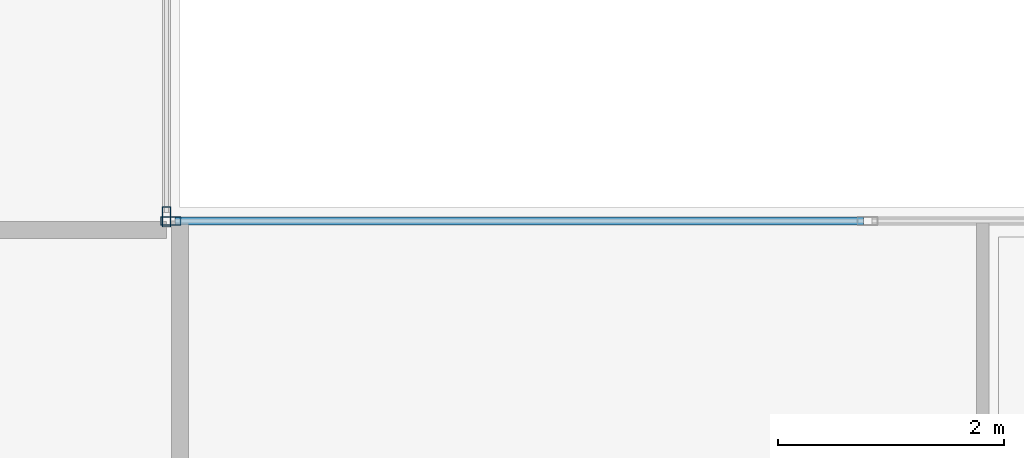
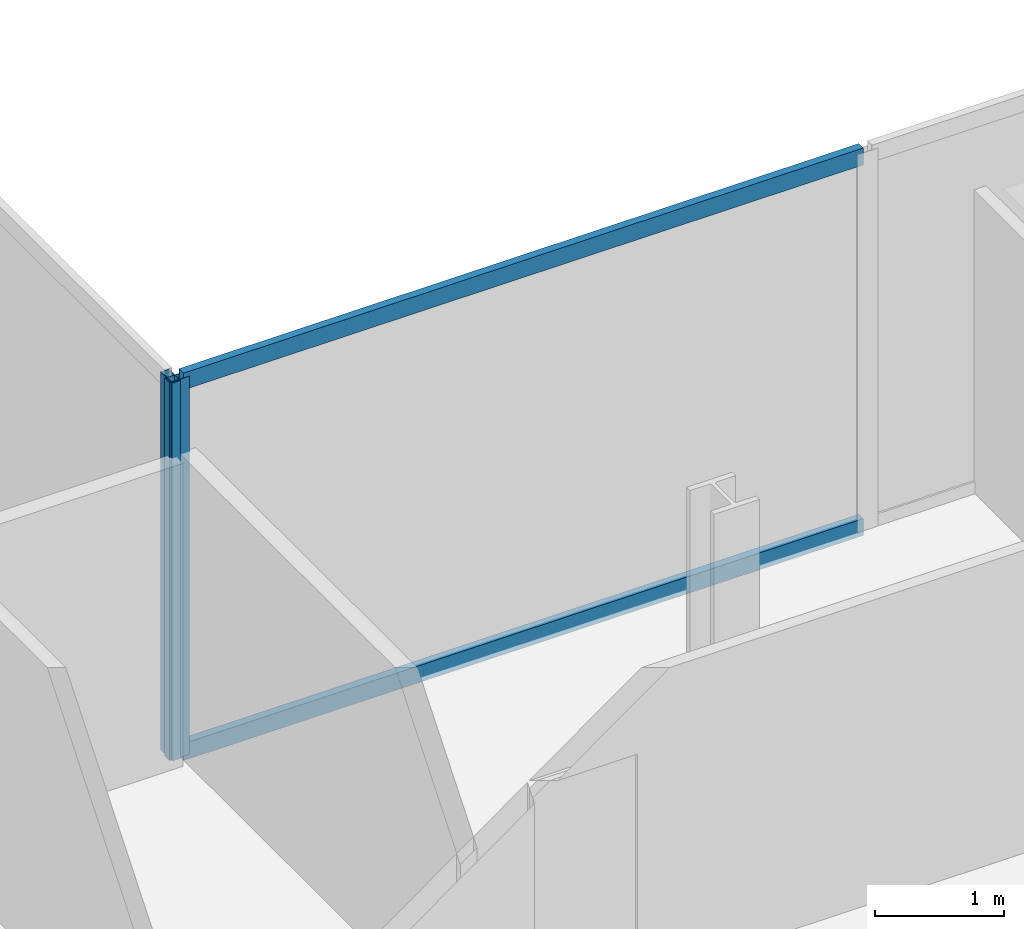
# One storey, part 7 of 23: 4 members, 2 elements without a shape of their own.
"""IFC4 building model written with IfcOpenShell, lengths in metres."""

from ifc_helpers import new_model, si_unit, direction, frame, origin, origin_2d, place, context, subcontext, project, spatial, hollow_rectangle, extrude, material, material_profile, profile_set, type_object, element, aggregate, save


model = new_model("IFC4")

# Units and contexts
model_context = context("Model", 3, precision=1e-05, world=origin(), true_north=direction((0.0, 1.0)))
body_context = subcontext(model_context, "Body", "Model", "MODEL_VIEW")
ifc_project = project(units=[si_unit("LENGTHUNIT", "METRE"), si_unit("AREAUNIT", "SQUARE_METRE"), si_unit("VOLUMEUNIT", "CUBIC_METRE"), si_unit("PLANEANGLEUNIT", "RADIAN"), si_unit("MASSUNIT", "GRAM", prefix="KILO")], contexts=[model_context])

# Site, building, storey
site_placement = place(None, origin())
site = spatial("IfcSite", under=ifc_project, at=site_placement, CompositionType="ELEMENT")
building_placement = place(site_placement, origin())
building = spatial("IfcBuilding", under=site, at=building_placement, Name="Cobrela Telecom Tower", CompositionType="ELEMENT")
storey_placement = place(building_placement, frame((0.0, 0.0, 140.699951171875)))
storey = spatial("IfcBuildingStorey", under=building, at=storey_placement, Name="L35", CompositionType="ELEMENT", Elevation=140.699951171875)

# Curtain wall, member
ifc_material = material(Name="Anodized Bronze Aluminium 6063-T6", Category="aluminium")
curtain_wall_type = type_object("IfcCurtainWallType", Name="CW-SYS-TEL", PredefinedType="USERDEFINED", material=ifc_material)
curtain_wall_1_placement = place(storey_placement, origin())
curtain_wall_1 = element("IfcCurtainWall", 1, at=curtain_wall_1_placement, inside=storey, type_object=curtain_wall_type, Name="L35 Unitised Bronze Curtain Wall 10", ObjectType="UNITISED CURTAIN WALL", PredefinedType="USERDEFINED")
ifc_material_profile_1 = material_profile(ifc_material, hollow_rectangle(XDim=0.074951171875, YDim=0.179931640625, WallThickness=0.00390625, at=origin_2d()), Name="ALU 75x180x4")
ifc_profile_set_1 = profile_set([ifc_material_profile_1], Name="Anodized Bronze Aluminium 6063-T6")
member_type_1 = type_object("IfcMemberType", Name="CW-SYS-TEL-MUL", PredefinedType="MULLION", material=ifc_profile_set_1)
member_1_placement = place(storey_placement, frame((25.8798828125, 25.117431640625, 0.0), z_axis=(0.0, 0.0, 1.0), x_axis=(1.0, 0.0, 0.0)))
member_1 = element("IfcMember", 2, at=member_1_placement, type_object=member_type_1, Name="CW-TEL mullion 3", PredefinedType="MULLION", context=body_context, shape_type="SweptSolid", body=[
    extrude(hollow_rectangle(XDim=0.074951171875, YDim=0.179931640625, WallThickness=0.00390625, at=origin_2d()), origin(), (0.0, 0.0, 1.0), 3.580078125),
])
aggregate(curtain_wall_1, [member_1])

# Curtain wall, members
curtain_wall_2_placement = place(storey_placement, origin())
curtain_wall_2 = element("IfcCurtainWall", 3, at=curtain_wall_2_placement, inside=storey, type_object=curtain_wall_type, Name="L35 Unitised Bronze Curtain Wall 11", ObjectType="UNITISED CURTAIN WALL", PredefinedType="USERDEFINED")
member_2_placement = place(storey_placement, frame((25.91748046875, 25.080078125, 0.0), z_axis=(0.0, 0.0, 1.0), x_axis=(0.0, 1.0, 0.0)))
member_2 = element("IfcMember", 4, at=member_2_placement, type_object=member_type_1, Name="CW-TEL mullion 1", PredefinedType="MULLION", context=body_context, shape_type="SweptSolid", body=[
    extrude(hollow_rectangle(XDim=0.074951171875, YDim=0.179931640625, WallThickness=0.00390625, at=origin_2d()), origin(), (0.0, 0.0, 1.0), 3.580078125),
])
ifc_material_profile_2 = material_profile(ifc_material, hollow_rectangle(XDim=0.070068359375, YDim=0.159912109375, WallThickness=0.00390625, at=origin_2d()), Name="ALU 70x160x4")
ifc_profile_set_2 = profile_set([ifc_material_profile_2], Name="Anodized Bronze Aluminium 6063-T6")
member_type_2 = type_object("IfcMemberType", Name="CW-SYS-TEL-TRN", PredefinedType="USERDEFINED", material=ifc_profile_set_2)
member_3_placement = place(storey_placement, frame((25.955078125, 25.080078125, 0.03515625), z_axis=(1.0, 0.0, 0.0), x_axis=(0.0, 1.0, 0.0)))
member_3 = element("IfcMember", 5, at=member_3_placement, type_object=member_type_2, Name="CW-TEL transom 1.1", ObjectType="TRANSOM", PredefinedType="USERDEFINED", context=body_context, shape_type="SweptSolid", body=[
    extrude(hollow_rectangle(XDim=0.070068359375, YDim=0.159912109375, WallThickness=0.00390625, at=origin_2d()), origin(), (0.0, 0.0, 1.0), 6.0908203125),
])
member_4_placement = place(storey_placement, frame((25.955078125, 25.080078125, 3.545166015625), z_axis=(1.0, 0.0, 0.0), x_axis=(0.0, 1.0, 0.0)))
member_4 = element("IfcMember", 6, at=member_4_placement, type_object=member_type_2, Name="CW-TEL transom 1.2", ObjectType="TRANSOM", PredefinedType="USERDEFINED", context=body_context, shape_type="SweptSolid", body=[
    extrude(hollow_rectangle(XDim=0.070068359375, YDim=0.159912109375, WallThickness=0.00390625, at=origin_2d()), origin(), (0.0, 0.0, 1.0), 6.0908203125),
])
aggregate(curtain_wall_2, [member_2, member_3, member_4])

save(model, "model.ifc")
